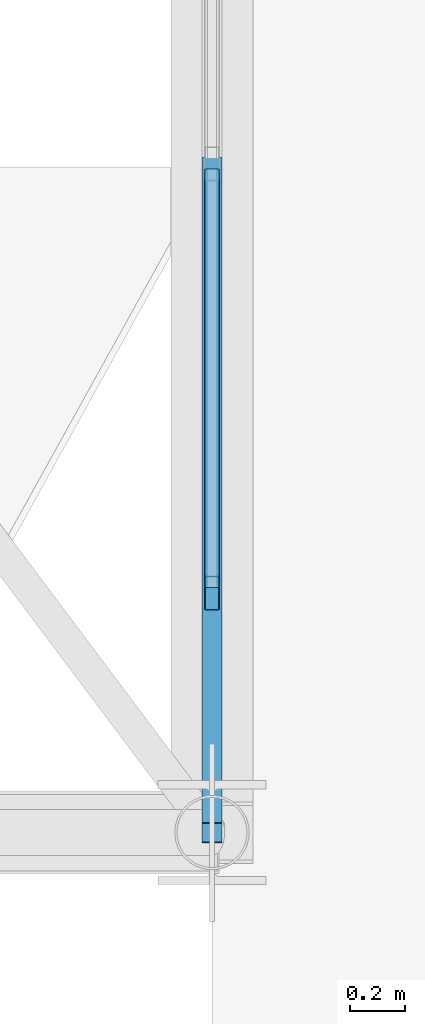
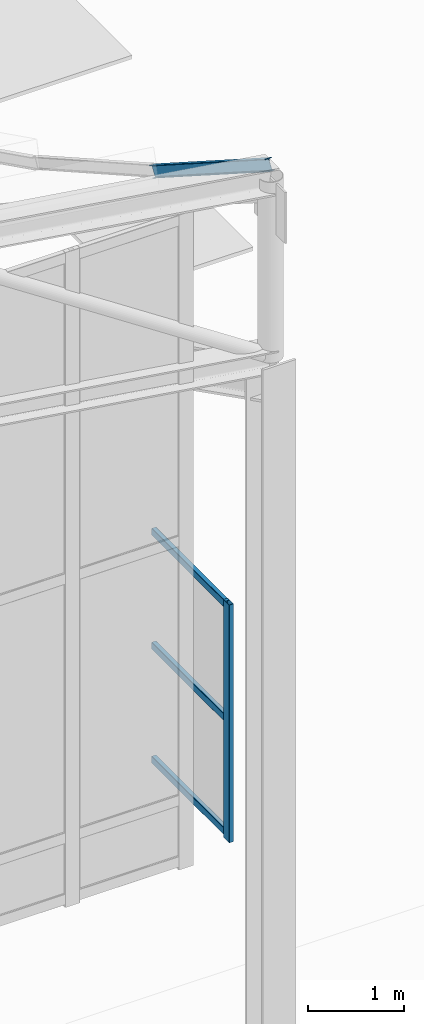
# One storey, part 69 of 262: 5 members, 1 element without a shape of its own.
"""IFC4 building model written with IfcOpenShell, lengths in metres."""

from ifc_helpers import new_model, si_unit, derived_unit, direction, frame, origin, origin_2d, place, context, subcontext, project, spatial, hollow_rectangle, i_section, extrude, material, layer, layer_set, material_profile, profile_set, type_object, element, aggregate, save


model = new_model("IFC4")

# Units and contexts
model_context = context("Model", 3, precision=1e-05, world=origin(), true_north=direction((0.0, 1.0)))
body_context = subcontext(model_context, "Body", "Model", "MODEL_VIEW")
ifc_project = project(units=[si_unit("LENGTHUNIT", "METRE"), si_unit("AREAUNIT", "SQUARE_METRE"), si_unit("VOLUMEUNIT", "CUBIC_METRE"), si_unit("PLANEANGLEUNIT", "RADIAN"), si_unit("MASSUNIT", "GRAM", prefix="KILO"), derived_unit("THERMALTRANSMITTANCEUNIT", [(si_unit("POWERUNIT", "WATT"), 1), (si_unit("LENGTHUNIT", "METRE"), -2), (si_unit("THERMODYNAMICTEMPERATUREUNIT", "KELVIN"), -1)])], contexts=[model_context])

# Site, building, storey
site_placement = place(None, origin())
site = spatial("IfcSite", under=ifc_project, at=site_placement, CompositionType="ELEMENT")
building_placement = place(site_placement, origin())
building = spatial("IfcBuilding", under=site, at=building_placement, Name="Almenara Railside Exhibition Hall", CompositionType="ELEMENT")
storey_placement = place(building_placement, frame((0.0, 0.0, 21.699951171875)))
storey = spatial("IfcBuildingStorey", under=building, at=storey_placement, Name="RF", CompositionType="ELEMENT", Elevation=21.699951171875)

# Member
ifc_material_1 = material(Name="Structural steel S355JR", Category="steel")
ifc_material_profile_1 = material_profile(ifc_material_1, i_section(OverallWidth=0.072998046875, OverallDepth=0.139892578125, WebThickness=0.004638671875, FlangeThickness=0.0068359375, FilletRadius=0.007080078125, at=origin_2d()), Name="IPE 140")
ifc_profile_set_1 = profile_set([ifc_material_profile_1], Name="Structural steel S355JR")
member_type_1 = type_object("IfcMemberType", Name="Canopy Edge Purlin IPE 140 S355JR", PredefinedType="PURLIN", material=ifc_profile_set_1)
member_1_placement = place(storey_placement, frame((66.0, 48.0, 9.033203125), z_axis=(0.0, 0.842265270347, -0.53906327492), x_axis=(-1.0, 0.0, 0.0)))
element("IfcMember", 1, at=member_1_placement, inside=storey, type_object=member_type_1, Name="MEM-PR-V1-PR-IPE140-08-00", PredefinedType="PURLIN", context=body_context, shape_type="SweptSolid", body=[
    extrude(i_section(OverallWidth=0.072998046875, OverallDepth=0.139892578125, WebThickness=0.004638671875, FlangeThickness=0.0068359375, FilletRadius=0.007080078125, at=origin_2d()), origin(), (0.0, 0.0, 1.0), 2.89306640625),
])

# Curtain wall, members
ifc_material_2 = material(Name="Bronze-anodised aluminium and low-E double glazing", Category="aluminium")
ifc_layer = layer(ifc_material_2, 0.179931640625, Name="Bronze-anodised aluminium and low-E double glazing")
ifc_layer_set = layer_set([ifc_layer], Name="Bronze-anodised aluminium and low-E double glazing")
curtain_wall_type = type_object("IfcCurtainWallType", Name="West Hall Clerestory Curtain Wall 4200x2400", PredefinedType="NOTDEFINED", material=ifc_layer_set)
curtain_wall_placement = place(storey_placement, origin())
curtain_wall = element("IfcCurtainWall", 2, at=curtain_wall_placement, inside=storey, type_object=curtain_wall_type, Name="Curtain wall CW-CL1-170", PredefinedType="NOTDEFINED")
ifc_material_3 = material(Name="Bronze-anodised aluminium", Category="aluminium")
ifc_material_profile_2 = material_profile(ifc_material_3, hollow_rectangle(XDim=0.054931640625, YDim=0.125, WallThickness=0.0029296875, InnerFilletRadius=0.0029296875, OuterFilletRadius=0.006103515625, at=origin_2d()), Name="ALU-MUL 55x125x3")
ifc_profile_set_2 = profile_set([ifc_material_profile_2], Name="Bronze-anodised aluminium")
member_type_2 = type_object("IfcMemberType", Name="Curtain Wall Mullion 55x125x3", PredefinedType="MULLION", material=ifc_profile_set_2)
member_2_placement = place(storey_placement, frame((66.0, 48.87744140625, -0.0849609375), z_axis=(0.0, 0.0, 1.0), x_axis=(-1.0, 0.0, 0.0)))
member_2 = element("IfcMember", 3, at=member_2_placement, type_object=member_type_2, Name="CW-CL1-170 mullion 1", PredefinedType="MULLION", context=body_context, shape_type="SweptSolid", body=[
    extrude(hollow_rectangle(XDim=0.054931640625, YDim=0.125, WallThickness=0.0029296875, InnerFilletRadius=0.0029296875, OuterFilletRadius=0.006103515625, at=origin_2d()), origin(), (0.0, 0.0, 1.0), 3.02490234375),
])
ifc_material_profile_3 = material_profile(ifc_material_3, hollow_rectangle(XDim=0.054931640625, YDim=0.090087890625, WallThickness=0.0029296875, InnerFilletRadius=0.0029296875, OuterFilletRadius=0.006103515625, at=origin_2d()), Name="ALU-TRN 55x90x3")
ifc_profile_set_3 = profile_set([ifc_material_profile_3], Name="Bronze-anodised aluminium")
member_type_3 = type_object("IfcMemberType", Name="Curtain Wall Transom 55x90x3", PredefinedType="USERDEFINED", material=ifc_profile_set_3)
member_3_placement = place(storey_placement, frame((66.0, 48.89697265625, -0.0048828125), z_axis=(0.0, 1.0, 0.0), x_axis=(-1.0, 0.0, 0.0)))
member_3 = element("IfcMember", 4, at=member_3_placement, type_object=member_type_3, Name="CW-CL1-170 transom 1.1", ObjectType="TRANSOM", PredefinedType="USERDEFINED", context=body_context, shape_type="SweptSolid", body=[
    extrude(hollow_rectangle(XDim=0.054931640625, YDim=0.090087890625, WallThickness=0.0029296875, InnerFilletRadius=0.0029296875, OuterFilletRadius=0.006103515625, at=origin_2d()), origin(), (0.0, 0.0, 1.0), 1.533447265625),
])
member_4_placement = place(storey_placement, frame((66.0, 48.89697265625, 1.445068359375), z_axis=(0.0, 1.0, 0.0), x_axis=(-1.0, 0.0, 0.0)))
member_4 = element("IfcMember", 5, at=member_4_placement, type_object=member_type_3, Name="CW-CL1-170 transom 1.2", ObjectType="TRANSOM", PredefinedType="USERDEFINED", context=body_context, shape_type="SweptSolid", body=[
    extrude(hollow_rectangle(XDim=0.054931640625, YDim=0.090087890625, WallThickness=0.0029296875, InnerFilletRadius=0.0029296875, OuterFilletRadius=0.006103515625, at=origin_2d()), origin(), (0.0, 0.0, 1.0), 1.533447265625),
])
member_5_placement = place(storey_placement, frame((66.0, 48.89697265625, 2.89501953125), z_axis=(0.0, 1.0, 0.0), x_axis=(-1.0, 0.0, 0.0)))
member_5 = element("IfcMember", 6, at=member_5_placement, type_object=member_type_3, Name="CW-CL1-170 transom 1.3", ObjectType="TRANSOM", PredefinedType="USERDEFINED", context=body_context, shape_type="SweptSolid", body=[
    extrude(hollow_rectangle(XDim=0.054931640625, YDim=0.090087890625, WallThickness=0.0029296875, InnerFilletRadius=0.0029296875, OuterFilletRadius=0.006103515625, at=origin_2d()), origin(), (0.0, 0.0, 1.0), 1.533447265625),
])
aggregate(curtain_wall, [member_2, member_3, member_4, member_5])

save(model, "model.ifc")
